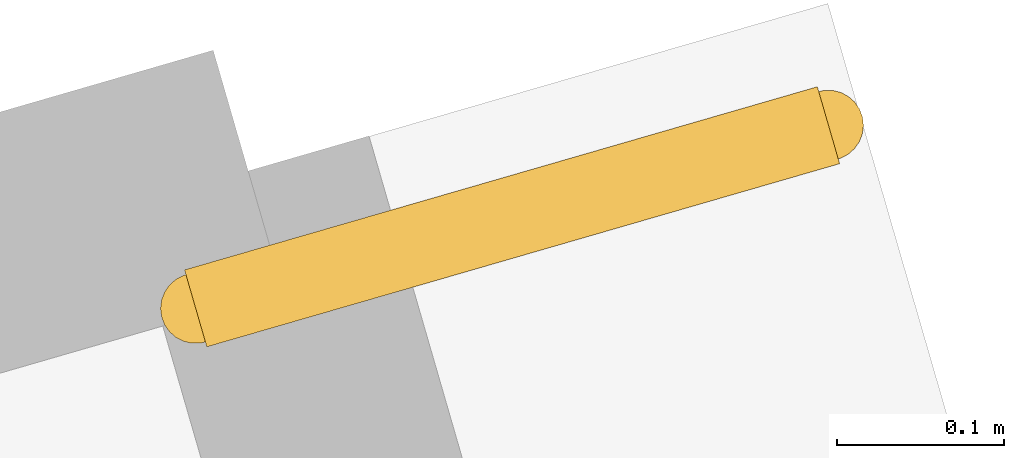
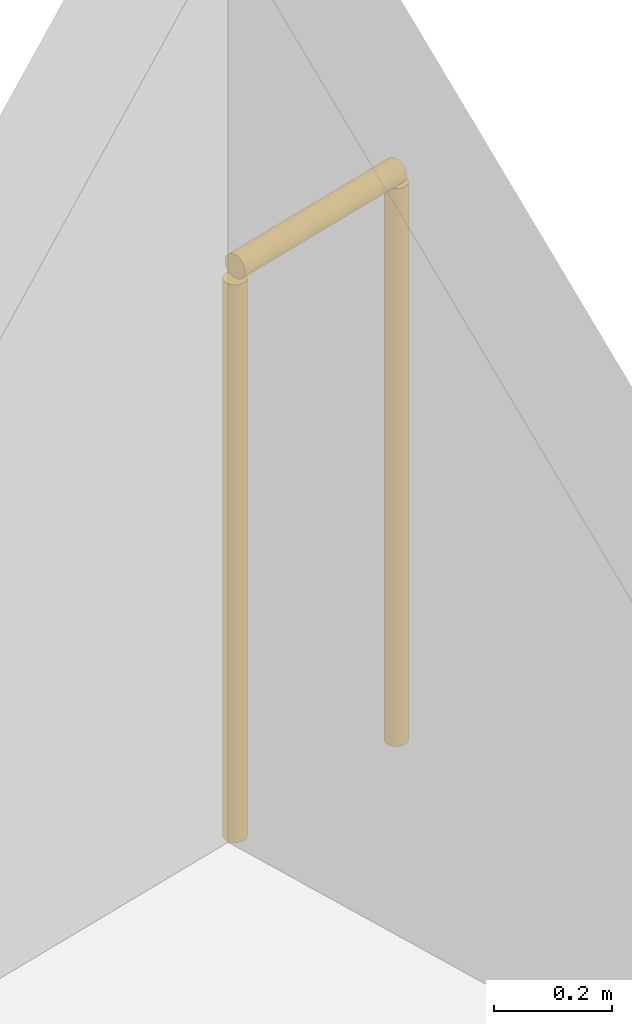
# One storey, part 15 of 15: 1 railing.
"""IFC4 building model written with IfcOpenShell, lengths in metres."""

from ifc_helpers import new_model, si_unit, direction, frame, origin, origin_2d, place, context, subcontext, project, spatial, circle, extrude, material, layer, layer_set, type_object, element, save


model = new_model("IFC4")

# Units and contexts
model_context = context("Model", 3, precision=1e-05, world=origin(), true_north=direction((0.0, 1.0)))
body_context = subcontext(model_context, "Body", "Model", "MODEL_VIEW")
ifc_project = project(units=[si_unit("LENGTHUNIT", "METRE"), si_unit("AREAUNIT", "SQUARE_METRE"), si_unit("VOLUMEUNIT", "CUBIC_METRE"), si_unit("PLANEANGLEUNIT", "RADIAN"), si_unit("MASSUNIT", "GRAM", prefix="KILO")], contexts=[model_context])

# Site, building, storey
site_placement = place(None, origin())
site = spatial("IfcSite", under=ifc_project, at=site_placement, CompositionType="ELEMENT")
building_placement = place(site_placement, origin())
building = spatial("IfcBuilding", under=site, at=building_placement, Name="Gaonmaruhae Medical Tower", CompositionType="ELEMENT")
storey_placement = place(building_placement, frame((0.0, 0.0, 92.39990234375)))
storey = spatial("IfcBuildingStorey", under=building, at=storey_placement, Name="L21", CompositionType="ELEMENT", Elevation=92.39990234375)

# Railing
ifc_material = material(Name="Stainless steel 316L and laminated safety glass", Category="steel")
ifc_layer = layer(ifc_material, 0.080078125)
ifc_layer_set = layer_set([ifc_layer], Name="Stainless steel 316L and laminated safety glass")
railing_type = type_object("IfcRailingType", Name="GD-120 Outdoor Terrace Safety Glass & Steel Balustrade", PredefinedType="BALUSTRADE", material=ifc_layer_set)
railing_placement = place(storey_placement, frame((56.146484375, 28.86181640625, 0.0)))
element("IfcRailing", 1, at=railing_placement, inside=storey, type_object=railing_type, Name="L21 Perimeter Slab Edge Safety Balustrade 01", PredefinedType="BALUSTRADE", context=body_context, shape_type="SweptSolid", body=[
    extrude(circle(Radius=0.02392578125, at=origin_2d()), frame((0.0, 0.0, 1.17578125), z_axis=(0.960581708758, 0.277997807186, 0.0), x_axis=(-0.277997807186, 0.960581708758, 0.0)), (0.0, 0.0, 1.0), 0.3935546875),
    extrude(circle(Radius=0.02099609375, at=origin_2d()), origin(), (0.0, 0.0, 1.0), 1.15185546875),
    extrude(circle(Radius=0.02099609375, at=origin_2d()), frame((0.3779296875, 0.109375, 0.0)), (0.0, 0.0, 1.0), 1.15185546875),
])

save(model, "model.ifc")
